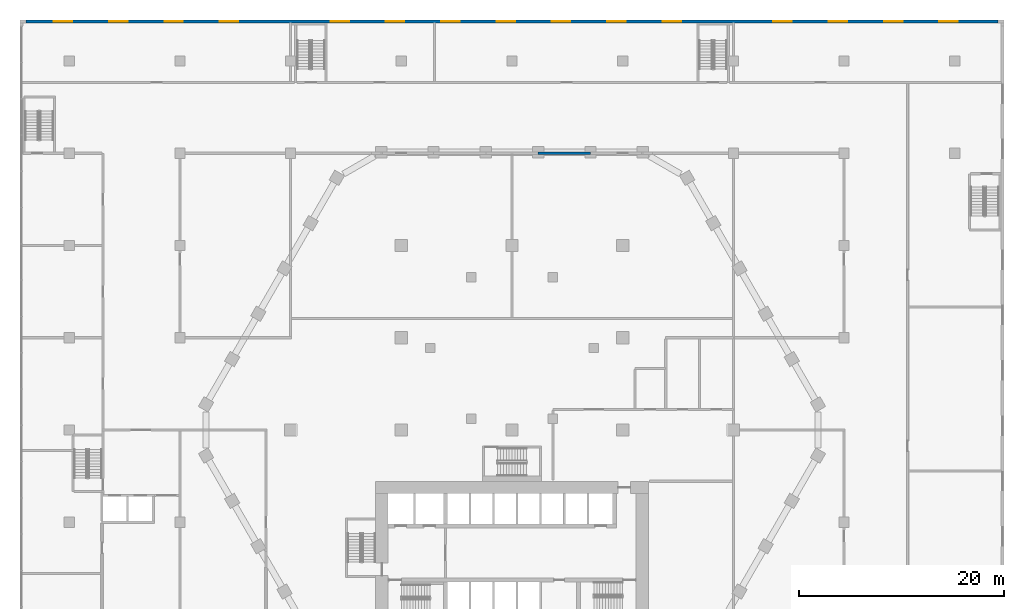
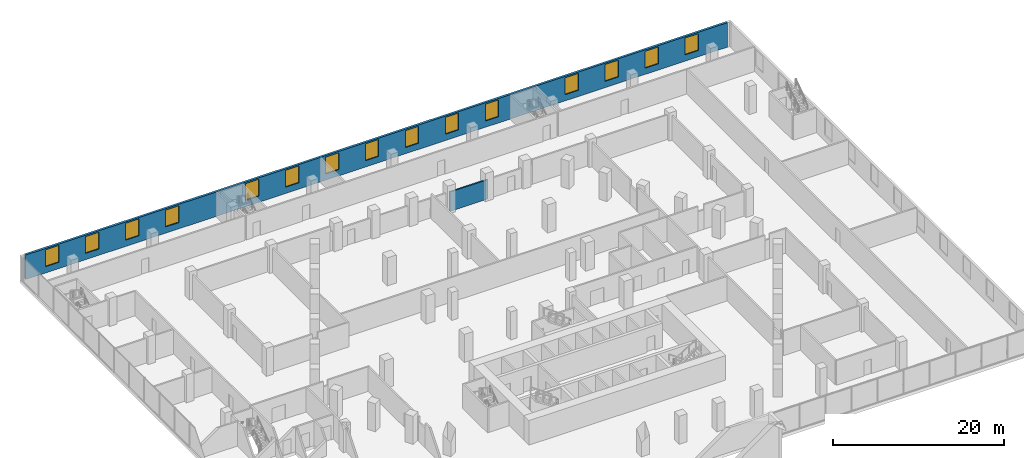
# One storey, part 20 of 45: 15 windows, 2 walls, 15 openings.
"""IFC4 building model written with IfcOpenShell, lengths in metres."""

import ifcopenshell
import ifcopenshell.guid

model = None  # the IFC model being written
_history = None  # IfcOwnerHistory: only IFC2X3 demands one
_inside = {}  # id of a spatial element -> (the spatial element, [elements in it])
_under = {}  # id of a project, library or spatial element -> (it, [spatial elements below it])
_declared = {}  # id of a project -> (the project, [libraries it declares])
_typed = {}  # id of a type object -> (the type object, [elements of that type])
_made_of = {}  # id of a material, layer set ... -> (it, [elements and type objects made of it])


def new_model(schema):
    """Start an empty IFC model of exactly this schema.

    Asked for "IFC4X3", IfcOpenShell would pick the latest addendum, in which some entities
    have other attributes; the version numbers below select the first issue.
    IFC2X3 requires an IfcOwnerHistory on every rooted entity: one is made here for all.
    """
    global model, _history
    if schema == "IFC4X3":
        model = ifcopenshell.file(schema_version=(4, 3, 0, 0))
    else:
        model = ifcopenshell.file(schema=schema)
    _inside.clear()
    _under.clear()
    _declared.clear()
    _typed.clear()
    _made_of.clear()
    _history = None
    if model.schema == "IFC2X3":
        org = make("IfcOrganization", Name="unknown")
        user = make(
            "IfcPersonAndOrganization",
            ThePerson=make("IfcPerson", FamilyName="unknown"),
            TheOrganization=org,
        )
        app = make(
            "IfcApplication",
            ApplicationDeveloper=org,
            Version="unknown",
            ApplicationFullName="unknown",
            ApplicationIdentifier="unknown",
        )
        _history = make(
            "IfcOwnerHistory",
            OwningUser=user,
            OwningApplication=app,
            ChangeAction="ADDED",
            CreationDate=0,
        )
    return model


def make(cls, **values):
    """One entity of the class cls with the attributes given. An attribute that is None is left unset."""
    return model.create_entity(
        cls, **{name: value for name, value in values.items() if value is not None}
    )


def rooted(cls, **values):
    """An entity with a GlobalId (a new one), such as an element, a storey or a relation."""
    return make(cls, GlobalId=ifcopenshell.guid.new(), OwnerHistory=_history, **values)


def si_unit(unit_type, name, prefix=None):
    """IfcSIUnit, for example si_unit("LENGTHUNIT", "METRE", prefix="MILLI")."""
    return make("IfcSIUnit", UnitType=unit_type, Prefix=prefix, Name=name)


def assignment(units):
    """IfcUnitAssignment: the units of a project."""
    return None if units is None else make("IfcUnitAssignment", Units=units)


def point(xyz):
    """IfcCartesianPoint."""
    return None if xyz is None else make("IfcCartesianPoint", Coordinates=xyz)


def direction(xyz):
    """IfcDirection."""
    return None if xyz is None else make("IfcDirection", DirectionRatios=xyz)


def frame(location, z_axis=None, x_axis=None):
    """IfcAxis2Placement3D, a coordinate frame: its origin and axes. An axis left out is left unset."""
    return make(
        "IfcAxis2Placement3D",
        Location=point(location),
        Axis=direction(z_axis),
        RefDirection=direction(x_axis),
    )


def frame_2d(location, x_axis=None):
    """IfcAxis2Placement2D, a coordinate frame in the plane: its origin and x axis."""
    return make(
        "IfcAxis2Placement2D", Location=point(location), RefDirection=direction(x_axis)
    )


def origin():
    """The frame at (0, 0, 0) with its axes left unset."""
    return frame((0.0, 0.0, 0.0))


def place(relative_to, where):
    """IfcLocalPlacement: puts the frame where relative to a parent placement (None: the world)."""
    return make(
        "IfcLocalPlacement", PlacementRelTo=relative_to, RelativePlacement=where
    )


def context(
    kind, dimensions, precision=None, world=None, true_north=None, identifier=None
):
    """IfcGeometricRepresentationContext, for example the 3D "Model" context."""
    return make(
        "IfcGeometricRepresentationContext",
        ContextIdentifier=identifier,
        ContextType=kind,
        CoordinateSpaceDimension=dimensions,
        Precision=precision,
        WorldCoordinateSystem=world,
        TrueNorth=true_north,
    )


def subcontext(parent, identifier, kind, view, scale=None):
    """IfcGeometricRepresentationSubContext, for example "Body" below "Model"."""
    return make(
        "IfcGeometricRepresentationSubContext",
        ContextIdentifier=identifier,
        ContextType=kind,
        ParentContext=parent,
        TargetScale=scale,
        TargetView=view,
    )


def project(units=None, contexts=None):
    """IfcProject with its units and contexts."""
    return rooted(
        "IfcProject",
        Name="project",
        RepresentationContexts=contexts,
        UnitsInContext=assignment(units),
    )


def spatial(cls, under=None, at=None, **own):
    """A site, building, storey or space (cls), placed at a placement, below another one or the project."""
    s = rooted(cls, ObjectPlacement=at, **own)
    if under is not None:
        _under.setdefault(under.id(), (under, []))[1].append(s)
    return s


def profile(cls, at=None, kind="AREA", **sizes):
    """A parametric profile (cls). Its sizes go by their IFC names, for example OverallWidth=200.0."""
    return make(cls, ProfileType=kind, Position=at, **sizes)


def rectangle(**sizes):
    """IfcRectangleProfileDef."""
    return profile("IfcRectangleProfileDef", **sizes)


def extrude(swept, where, along, depth):
    """IfcExtrudedAreaSolid: the profile swept, set in the frame where, extruded along a direction by depth."""
    return make(
        "IfcExtrudedAreaSolid",
        SweptArea=swept,
        Position=where,
        ExtrudedDirection=direction(along),
        Depth=depth,
    )


def shape(context_of_items, identifier, shape_type, items):
    """IfcShapeRepresentation: the items that make up one representation, for example the "Body"."""
    return make(
        "IfcShapeRepresentation",
        ContextOfItems=context_of_items,
        RepresentationIdentifier=identifier,
        RepresentationType=shape_type,
        Items=items,
    )


def material(Name=None, Category=None):
    """IfcMaterial."""
    return make("IfcMaterial", Name=Name, Category=Category)


def layer(
    of_material, thickness, ventilated=None, Name=None, Category=None, Priority=None
):
    """IfcMaterialLayer: one layer of a wall or slab, of a material (None: an air gap)."""
    return make(
        "IfcMaterialLayer",
        Material=of_material,
        LayerThickness=thickness,
        IsVentilated=ventilated,
        Name=Name,
        Category=Category,
        Priority=Priority,
    )


def layer_set(layers, Name=None):
    """IfcMaterialLayerSet."""
    return make("IfcMaterialLayerSet", MaterialLayers=layers, LayerSetName=Name)


def made_of(thing, what):
    """Note that an element or type object is made of a material, layer set ...; save() writes the relation."""
    if what is not None:
        _made_of.setdefault(what.id(), (what, []))[1].append(thing)
    return thing


def type_object(cls, material=None, **own):
    """A type object (cls), such as IfcWallType, which elements share."""
    return made_of(rooted(cls, **own), material)


def element(
    cls,
    number,
    at=None,
    inside=None,
    cuts=None,
    type_object=None,
    material=None,
    context=None,
    identifier="Body",
    shape_type=None,
    held_by="IfcProductDefinitionShape",
    body=None,
    shapes=None,
    **own,
):
    """One element of the class cls, such as IfcWall. Its Tag is "e" and its number.

    at: its placement. inside: the storey or other place that contains it. cuts: it is an
    opening in that element (IfcRelVoidsElement). A single representation is given by context,
    identifier, shape_type and body (its items); several are given by shapes. held_by: the class
    of the entity that holds the representations. save() writes the other relations.
    """
    e = rooted(cls, Tag="e%d" % number, ObjectPlacement=at, **own)
    if body is not None:
        shapes = [shape(context, identifier, shape_type, body)]
    if shapes is not None:
        e.Representation = make(held_by, Representations=shapes)
    if inside is not None:
        _inside.setdefault(inside.id(), (inside, []))[1].append(e)
    if cuts is not None:
        rooted(
            "IfcRelVoidsElement", RelatingBuildingElement=cuts, RelatedOpeningElement=e
        )
    if type_object is not None:
        _typed.setdefault(type_object.id(), (type_object, []))[1].append(e)
    return made_of(e, material)


def fill(opening, filler):
    """IfcRelFillsElement: the door or window that sits in an opening."""
    return rooted(
        "IfcRelFillsElement",
        RelatingOpeningElement=opening,
        RelatedBuildingElement=filler,
    )


def aggregate(whole, parts):
    """IfcRelAggregates: a whole, such as a stair, and the parts it consists of."""
    return rooted("IfcRelAggregates", RelatingObject=whole, RelatedObjects=parts)


def save(model, path):
    """Write the relations noted so far, then the file.

    IfcRelAggregates (storeys below a building ...), IfcRelContainedInSpatialStructure (elements
    in a storey), IfcRelDefinesByType, IfcRelAssociatesMaterial and IfcRelDeclares: one each for
    every whole, place, type object, material and project.
    """
    for whole, parts in _under.values():
        aggregate(whole, parts)
    for where, things in _inside.values():
        rooted(
            "IfcRelContainedInSpatialStructure",
            RelatedElements=things,
            RelatingStructure=where,
        )
    for kind, things in _typed.values():
        rooted("IfcRelDefinesByType", RelatedObjects=things, RelatingType=kind)
    for what, things in _made_of.values():
        rooted("IfcRelAssociatesMaterial", RelatedObjects=things, RelatingMaterial=what)
    for by, libraries in _declared.values():
        rooted("IfcRelDeclares", RelatingContext=by, RelatedDefinitions=libraries)
    model.write(path)


model = new_model("IFC4")

# Units and contexts
model_context = context("Model", 3, precision=1e-05, world=origin(), true_north=direction((0.0, 1.0)))
body_context = subcontext(model_context, "Body", "Model", "MODEL_VIEW")
ifc_project = project(units=[si_unit("LENGTHUNIT", "METRE"), si_unit("AREAUNIT", "SQUARE_METRE"), si_unit("VOLUMEUNIT", "CUBIC_METRE"), si_unit("PLANEANGLEUNIT", "RADIAN"), si_unit("MASSUNIT", "GRAM", prefix="KILO")], contexts=[model_context])

# Site, building, storey
site_placement = place(None, origin())
site = spatial("IfcSite", under=ifc_project, at=site_placement, CompositionType="ELEMENT")
building_placement = place(site_placement, origin())
building = spatial("IfcBuilding", under=site, at=building_placement, Name="Beryl Residences", CompositionType="ELEMENT")
storey_placement = place(building_placement, frame((0.0, 0.0, 5.0)))
storey = spatial("IfcBuildingStorey", under=building, at=storey_placement, Name="L01", CompositionType="ELEMENT", Elevation=5.0)

# Wall, openings, windows
ifc_material_1 = material(Name="Composite metal panel with mineral wool insulation")
ifc_layer_1 = layer(ifc_material_1, 0.300048828125)
ifc_layer_set_1 = layer_set([ifc_layer_1], Name="ES1 pale metal composite panel wall 300 mm")
wall_type_1 = type_object("IfcWallType", Name="ES1 pale metal composite panel wall 300 mm", PredefinedType="SOLIDWALL", material=ifc_layer_set_1)
wall_1_placement = place(storey_placement, frame((47.39990234375, 39.85009765625, 0.0), z_axis=(0.0, 0.0, 1.0), x_axis=(-1.0, 0.0, 0.0)))
wall_1 = element("IfcWall", 1, at=wall_1_placement, inside=storey, type_object=wall_type_1, Name="ES1 external wall L01 N 2", PredefinedType="SOLIDWALL", context=body_context, shape_type="SweptSolid", body=[
    extrude(rectangle(XDim=94.7998046875, YDim=0.300048828125, at=frame_2d((47.39990234375, 0.0))), origin(), (0.0, 0.0, 1.0), 3.5),
])
opening_1_placement = place(wall_1_placement, frame((3.89990234375, 0.0, 0.89990234375)))
opening_1 = element("IfcOpeningElement", 2, at=opening_1_placement, cuts=wall_1, Name="Opening W4", PredefinedType="OPENING", context=body_context, shape_type="SweptSolid", body=[
    extrude(rectangle(XDim=1.800048828125, YDim=2.39990234375, at=frame_2d((0.89990234375, 1.199951171875))), frame((0.0, 0.159912109375, 0.0), z_axis=(0.0, -1.0, 0.0), x_axis=(1.0, 0.0, 0.0)), (0.0, 0.0, 1.0), 0.320068359375),
])
opening_2_placement = place(wall_1_placement, frame((9.300048828125, 0.0, 0.89990234375)))
opening_2 = element("IfcOpeningElement", 3, at=opening_2_placement, cuts=wall_1, Name="Opening W4", PredefinedType="OPENING", context=body_context, shape_type="SweptSolid", body=[
    extrude(rectangle(XDim=1.800048828125, YDim=2.39990234375, at=frame_2d((0.89990234375, 1.199951171875))), frame((0.0, 0.159912109375, 0.0), z_axis=(0.0, -1.0, 0.0), x_axis=(1.0, 0.0, 0.0)), (0.0, 0.0, 1.0), 0.320068359375),
])
opening_3_placement = place(wall_1_placement, frame((14.699951171875, 0.0, 0.89990234375)))
opening_3 = element("IfcOpeningElement", 4, at=opening_3_placement, cuts=wall_1, Name="Opening W4", PredefinedType="OPENING", context=body_context, shape_type="SweptSolid", body=[
    extrude(rectangle(XDim=1.800048828125, YDim=2.39990234375, at=frame_2d((0.89990234375, 1.199951171875))), frame((0.0, 0.159912109375, 0.0), z_axis=(0.0, -1.0, 0.0), x_axis=(1.0, 0.0, 0.0)), (0.0, 0.0, 1.0), 0.320068359375),
])
opening_4_placement = place(wall_1_placement, frame((20.10009765625, 0.0, 0.89990234375)))
opening_4 = element("IfcOpeningElement", 5, at=opening_4_placement, cuts=wall_1, Name="Opening W4", PredefinedType="OPENING", context=body_context, shape_type="SweptSolid", body=[
    extrude(rectangle(XDim=1.800048828125, YDim=2.39990234375, at=frame_2d((0.89990234375, 1.199951171875))), frame((0.0, 0.159912109375, 0.0), z_axis=(0.0, -1.0, 0.0), x_axis=(1.0, 0.0, 0.0)), (0.0, 0.0, 1.0), 0.320068359375),
])
opening_5_placement = place(wall_1_placement, frame((30.89990234375, 0.0, 0.89990234375)))
opening_5 = element("IfcOpeningElement", 6, at=opening_5_placement, cuts=wall_1, Name="Opening W4", PredefinedType="OPENING", context=body_context, shape_type="SweptSolid", body=[
    extrude(rectangle(XDim=1.800048828125, YDim=2.39990234375, at=frame_2d((0.89990234375, 1.199951171875))), frame((0.0, 0.159912109375, 0.0), z_axis=(0.0, -1.0, 0.0), x_axis=(1.0, 0.0, 0.0)), (0.0, 0.0, 1.0), 0.320068359375),
])
opening_6_placement = place(wall_1_placement, frame((36.300048828125, 0.0, 0.89990234375)))
opening_6 = element("IfcOpeningElement", 7, at=opening_6_placement, cuts=wall_1, Name="Opening W4", PredefinedType="OPENING", context=body_context, shape_type="SweptSolid", body=[
    extrude(rectangle(XDim=1.800048828125, YDim=2.39990234375, at=frame_2d((0.89990234375, 1.199951171875))), frame((0.0, 0.159912109375, 0.0), z_axis=(0.0, -1.0, 0.0), x_axis=(1.0, 0.0, 0.0)), (0.0, 0.0, 1.0), 0.320068359375),
])
opening_7_placement = place(wall_1_placement, frame((41.699951171875, 0.0, 0.89990234375)))
opening_7 = element("IfcOpeningElement", 8, at=opening_7_placement, cuts=wall_1, Name="Opening W4", PredefinedType="OPENING", context=body_context, shape_type="SweptSolid", body=[
    extrude(rectangle(XDim=1.800048828125, YDim=2.39990234375, at=frame_2d((0.89990234375, 1.199951171875))), frame((0.0, 0.159912109375, 0.0), z_axis=(0.0, -1.0, 0.0), x_axis=(1.0, 0.0, 0.0)), (0.0, 0.0, 1.0), 0.320068359375),
])
opening_8_placement = place(wall_1_placement, frame((47.10009765625, 0.0, 0.89990234375)))
opening_8 = element("IfcOpeningElement", 9, at=opening_8_placement, cuts=wall_1, Name="Opening W4", PredefinedType="OPENING", context=body_context, shape_type="SweptSolid", body=[
    extrude(rectangle(XDim=1.800048828125, YDim=2.39990234375, at=frame_2d((0.89990234375, 1.199951171875))), frame((0.0, 0.159912109375, 0.0), z_axis=(0.0, -1.0, 0.0), x_axis=(1.0, 0.0, 0.0)), (0.0, 0.0, 1.0), 0.320068359375),
])
opening_9_placement = place(wall_1_placement, frame((52.5, 0.0, 0.89990234375)))
opening_9 = element("IfcOpeningElement", 10, at=opening_9_placement, cuts=wall_1, Name="Opening W4", PredefinedType="OPENING", context=body_context, shape_type="SweptSolid", body=[
    extrude(rectangle(XDim=1.800048828125, YDim=2.39990234375, at=frame_2d((0.89990234375, 1.199951171875))), frame((0.0, 0.159912109375, 0.0), z_axis=(0.0, -1.0, 0.0), x_axis=(1.0, 0.0, 0.0)), (0.0, 0.0, 1.0), 0.320068359375),
])
opening_10_placement = place(wall_1_placement, frame((57.89990234375, 0.0, 0.89990234375)))
opening_10 = element("IfcOpeningElement", 11, at=opening_10_placement, cuts=wall_1, Name="Opening W4", PredefinedType="OPENING", context=body_context, shape_type="SweptSolid", body=[
    extrude(rectangle(XDim=1.800048828125, YDim=2.39990234375, at=frame_2d((0.89990234375, 1.199951171875))), frame((0.0, 0.159912109375, 0.0), z_axis=(0.0, -1.0, 0.0), x_axis=(1.0, 0.0, 0.0)), (0.0, 0.0, 1.0), 0.320068359375),
])
opening_11_placement = place(wall_1_placement, frame((63.300048828125, 0.0, 0.89990234375)))
opening_11 = element("IfcOpeningElement", 12, at=opening_11_placement, cuts=wall_1, Name="Opening W4", PredefinedType="OPENING", context=body_context, shape_type="SweptSolid", body=[
    extrude(rectangle(XDim=1.800048828125, YDim=2.39990234375, at=frame_2d((0.89990234375, 1.199951171875))), frame((0.0, 0.159912109375, 0.0), z_axis=(0.0, -1.0, 0.0), x_axis=(1.0, 0.0, 0.0)), (0.0, 0.0, 1.0), 0.320068359375),
])
opening_12_placement = place(wall_1_placement, frame((74.10009765625, 0.0, 0.89990234375)))
opening_12 = element("IfcOpeningElement", 13, at=opening_12_placement, cuts=wall_1, Name="Opening W4", PredefinedType="OPENING", context=body_context, shape_type="SweptSolid", body=[
    extrude(rectangle(XDim=1.800048828125, YDim=2.39990234375, at=frame_2d((0.89990234375, 1.199951171875))), frame((0.0, 0.159912109375, 0.0), z_axis=(0.0, -1.0, 0.0), x_axis=(1.0, 0.0, 0.0)), (0.0, 0.0, 1.0), 0.320068359375),
])
opening_13_placement = place(wall_1_placement, frame((79.5, 0.0, 0.89990234375)))
opening_13 = element("IfcOpeningElement", 14, at=opening_13_placement, cuts=wall_1, Name="Opening W4", PredefinedType="OPENING", context=body_context, shape_type="SweptSolid", body=[
    extrude(rectangle(XDim=1.800048828125, YDim=2.39990234375, at=frame_2d((0.89990234375, 1.199951171875))), frame((0.0, 0.159912109375, 0.0), z_axis=(0.0, -1.0, 0.0), x_axis=(1.0, 0.0, 0.0)), (0.0, 0.0, 1.0), 0.320068359375),
])
opening_14_placement = place(wall_1_placement, frame((84.89990234375, 0.0, 0.89990234375)))
opening_14 = element("IfcOpeningElement", 15, at=opening_14_placement, cuts=wall_1, Name="Opening W4", PredefinedType="OPENING", context=body_context, shape_type="SweptSolid", body=[
    extrude(rectangle(XDim=1.800048828125, YDim=2.39990234375, at=frame_2d((0.89990234375, 1.199951171875))), frame((0.0, 0.159912109375, 0.0), z_axis=(0.0, -1.0, 0.0), x_axis=(1.0, 0.0, 0.0)), (0.0, 0.0, 1.0), 0.320068359375),
])
opening_15_placement = place(wall_1_placement, frame((90.300048828125, 0.0, 0.89990234375)))
opening_15 = element("IfcOpeningElement", 16, at=opening_15_placement, cuts=wall_1, Name="Opening W4", PredefinedType="OPENING", context=body_context, shape_type="SweptSolid", body=[
    extrude(rectangle(XDim=1.800048828125, YDim=2.39990234375, at=frame_2d((0.89990234375, 1.199951171875))), frame((0.0, 0.159912109375, 0.0), z_axis=(0.0, -1.0, 0.0), x_axis=(1.0, 0.0, 0.0)), (0.0, 0.0, 1.0), 0.320068359375),
])
ifc_material_2 = material(Name="Aluminium and clear glass", Category="aluminium")
window_type = type_object("IfcWindowType", Name="W4 podium window 1800 x 2400 mm", PartitioningType="SINGLE_PANEL", PredefinedType="WINDOW", material=ifc_material_2)
window_1_placement = place(opening_1_placement, origin())
window_1 = element("IfcWindow", 17, at=window_1_placement, inside=storey, type_object=window_type, Name="W4 window L01 N 1", OverallHeight=2.39990234375, OverallWidth=1.800048828125, PartitioningType="SINGLE_PANEL", PredefinedType="WINDOW", context=body_context, shape_type="SweptSolid", body=[
    extrude(rectangle(XDim=1.800048828125, YDim=2.39990234375, at=frame_2d((0.89990234375, 1.199951171875))), frame((0.0, 0.030029296875, 0.0), z_axis=(0.0, -1.0, 0.0), x_axis=(1.0, 0.0, 0.0)), (0.0, 0.0, 1.0), 0.06005859375),
])
fill(opening_1, window_1)
window_2_placement = place(opening_2_placement, origin())
window_2 = element("IfcWindow", 18, at=window_2_placement, inside=storey, type_object=window_type, Name="W4 window L01 N 2", OverallHeight=2.39990234375, OverallWidth=1.800048828125, PartitioningType="SINGLE_PANEL", PredefinedType="WINDOW", context=body_context, shape_type="SweptSolid", body=[
    extrude(rectangle(XDim=1.800048828125, YDim=2.39990234375, at=frame_2d((0.89990234375, 1.199951171875))), frame((0.0, 0.030029296875, 0.0), z_axis=(0.0, -1.0, 0.0), x_axis=(1.0, 0.0, 0.0)), (0.0, 0.0, 1.0), 0.06005859375),
])
fill(opening_2, window_2)
window_3_placement = place(opening_3_placement, origin())
window_3 = element("IfcWindow", 19, at=window_3_placement, inside=storey, type_object=window_type, Name="W4 window L01 N 3", OverallHeight=2.39990234375, OverallWidth=1.800048828125, PartitioningType="SINGLE_PANEL", PredefinedType="WINDOW", context=body_context, shape_type="SweptSolid", body=[
    extrude(rectangle(XDim=1.800048828125, YDim=2.39990234375, at=frame_2d((0.89990234375, 1.199951171875))), frame((0.0, 0.030029296875, 0.0), z_axis=(0.0, -1.0, 0.0), x_axis=(1.0, 0.0, 0.0)), (0.0, 0.0, 1.0), 0.06005859375),
])
fill(opening_3, window_3)
window_4_placement = place(opening_4_placement, origin())
window_4 = element("IfcWindow", 20, at=window_4_placement, inside=storey, type_object=window_type, Name="W4 window L01 N 4", OverallHeight=2.39990234375, OverallWidth=1.800048828125, PartitioningType="SINGLE_PANEL", PredefinedType="WINDOW", context=body_context, shape_type="SweptSolid", body=[
    extrude(rectangle(XDim=1.800048828125, YDim=2.39990234375, at=frame_2d((0.89990234375, 1.199951171875))), frame((0.0, 0.030029296875, 0.0), z_axis=(0.0, -1.0, 0.0), x_axis=(1.0, 0.0, 0.0)), (0.0, 0.0, 1.0), 0.06005859375),
])
fill(opening_4, window_4)
window_5_placement = place(opening_5_placement, origin())
window_5 = element("IfcWindow", 21, at=window_5_placement, inside=storey, type_object=window_type, Name="W4 window L01 N 5", OverallHeight=2.39990234375, OverallWidth=1.800048828125, PartitioningType="SINGLE_PANEL", PredefinedType="WINDOW", context=body_context, shape_type="SweptSolid", body=[
    extrude(rectangle(XDim=1.800048828125, YDim=2.39990234375, at=frame_2d((0.89990234375, 1.199951171875))), frame((0.0, 0.030029296875, 0.0), z_axis=(0.0, -1.0, 0.0), x_axis=(1.0, 0.0, 0.0)), (0.0, 0.0, 1.0), 0.06005859375),
])
fill(opening_5, window_5)
window_6_placement = place(opening_6_placement, origin())
window_6 = element("IfcWindow", 22, at=window_6_placement, inside=storey, type_object=window_type, Name="W4 window L01 N 6", OverallHeight=2.39990234375, OverallWidth=1.800048828125, PartitioningType="SINGLE_PANEL", PredefinedType="WINDOW", context=body_context, shape_type="SweptSolid", body=[
    extrude(rectangle(XDim=1.800048828125, YDim=2.39990234375, at=frame_2d((0.89990234375, 1.199951171875))), frame((0.0, 0.030029296875, 0.0), z_axis=(0.0, -1.0, 0.0), x_axis=(1.0, 0.0, 0.0)), (0.0, 0.0, 1.0), 0.06005859375),
])
fill(opening_6, window_6)
window_7_placement = place(opening_7_placement, origin())
window_7 = element("IfcWindow", 23, at=window_7_placement, inside=storey, type_object=window_type, Name="W4 window L01 N 7", OverallHeight=2.39990234375, OverallWidth=1.800048828125, PartitioningType="SINGLE_PANEL", PredefinedType="WINDOW", context=body_context, shape_type="SweptSolid", body=[
    extrude(rectangle(XDim=1.800048828125, YDim=2.39990234375, at=frame_2d((0.89990234375, 1.199951171875))), frame((0.0, 0.030029296875, 0.0), z_axis=(0.0, -1.0, 0.0), x_axis=(1.0, 0.0, 0.0)), (0.0, 0.0, 1.0), 0.06005859375),
])
fill(opening_7, window_7)
window_8_placement = place(opening_8_placement, origin())
window_8 = element("IfcWindow", 24, at=window_8_placement, inside=storey, type_object=window_type, Name="W4 window L01 N 8", OverallHeight=2.39990234375, OverallWidth=1.800048828125, PartitioningType="SINGLE_PANEL", PredefinedType="WINDOW", context=body_context, shape_type="SweptSolid", body=[
    extrude(rectangle(XDim=1.800048828125, YDim=2.39990234375, at=frame_2d((0.89990234375, 1.199951171875))), frame((0.0, 0.030029296875, 0.0), z_axis=(0.0, -1.0, 0.0), x_axis=(1.0, 0.0, 0.0)), (0.0, 0.0, 1.0), 0.06005859375),
])
fill(opening_8, window_8)
window_9_placement = place(opening_9_placement, origin())
window_9 = element("IfcWindow", 25, at=window_9_placement, inside=storey, type_object=window_type, Name="W4 window L01 N 9", OverallHeight=2.39990234375, OverallWidth=1.800048828125, PartitioningType="SINGLE_PANEL", PredefinedType="WINDOW", context=body_context, shape_type="SweptSolid", body=[
    extrude(rectangle(XDim=1.800048828125, YDim=2.39990234375, at=frame_2d((0.89990234375, 1.199951171875))), frame((0.0, 0.030029296875, 0.0), z_axis=(0.0, -1.0, 0.0), x_axis=(1.0, 0.0, 0.0)), (0.0, 0.0, 1.0), 0.06005859375),
])
fill(opening_9, window_9)
window_10_placement = place(opening_10_placement, origin())
window_10 = element("IfcWindow", 26, at=window_10_placement, inside=storey, type_object=window_type, Name="W4 window L01 N 10", OverallHeight=2.39990234375, OverallWidth=1.800048828125, PartitioningType="SINGLE_PANEL", PredefinedType="WINDOW", context=body_context, shape_type="SweptSolid", body=[
    extrude(rectangle(XDim=1.800048828125, YDim=2.39990234375, at=frame_2d((0.89990234375, 1.199951171875))), frame((0.0, 0.030029296875, 0.0), z_axis=(0.0, -1.0, 0.0), x_axis=(1.0, 0.0, 0.0)), (0.0, 0.0, 1.0), 0.06005859375),
])
fill(opening_10, window_10)
window_11_placement = place(opening_11_placement, origin())
window_11 = element("IfcWindow", 27, at=window_11_placement, inside=storey, type_object=window_type, Name="W4 window L01 N 11", OverallHeight=2.39990234375, OverallWidth=1.800048828125, PartitioningType="SINGLE_PANEL", PredefinedType="WINDOW", context=body_context, shape_type="SweptSolid", body=[
    extrude(rectangle(XDim=1.800048828125, YDim=2.39990234375, at=frame_2d((0.89990234375, 1.199951171875))), frame((0.0, 0.030029296875, 0.0), z_axis=(0.0, -1.0, 0.0), x_axis=(1.0, 0.0, 0.0)), (0.0, 0.0, 1.0), 0.06005859375),
])
fill(opening_11, window_11)
window_12_placement = place(opening_12_placement, origin())
window_12 = element("IfcWindow", 28, at=window_12_placement, inside=storey, type_object=window_type, Name="W4 window L01 N 12", OverallHeight=2.39990234375, OverallWidth=1.800048828125, PartitioningType="SINGLE_PANEL", PredefinedType="WINDOW", context=body_context, shape_type="SweptSolid", body=[
    extrude(rectangle(XDim=1.800048828125, YDim=2.39990234375, at=frame_2d((0.89990234375, 1.199951171875))), frame((0.0, 0.030029296875, 0.0), z_axis=(0.0, -1.0, 0.0), x_axis=(1.0, 0.0, 0.0)), (0.0, 0.0, 1.0), 0.06005859375),
])
fill(opening_12, window_12)
window_13_placement = place(opening_13_placement, origin())
window_13 = element("IfcWindow", 29, at=window_13_placement, inside=storey, type_object=window_type, Name="W4 window L01 N 13", OverallHeight=2.39990234375, OverallWidth=1.800048828125, PartitioningType="SINGLE_PANEL", PredefinedType="WINDOW", context=body_context, shape_type="SweptSolid", body=[
    extrude(rectangle(XDim=1.800048828125, YDim=2.39990234375, at=frame_2d((0.89990234375, 1.199951171875))), frame((0.0, 0.030029296875, 0.0), z_axis=(0.0, -1.0, 0.0), x_axis=(1.0, 0.0, 0.0)), (0.0, 0.0, 1.0), 0.06005859375),
])
fill(opening_13, window_13)
window_14_placement = place(opening_14_placement, origin())
window_14 = element("IfcWindow", 30, at=window_14_placement, inside=storey, type_object=window_type, Name="W4 window L01 N 14", OverallHeight=2.39990234375, OverallWidth=1.800048828125, PartitioningType="SINGLE_PANEL", PredefinedType="WINDOW", context=body_context, shape_type="SweptSolid", body=[
    extrude(rectangle(XDim=1.800048828125, YDim=2.39990234375, at=frame_2d((0.89990234375, 1.199951171875))), frame((0.0, 0.030029296875, 0.0), z_axis=(0.0, -1.0, 0.0), x_axis=(1.0, 0.0, 0.0)), (0.0, 0.0, 1.0), 0.06005859375),
])
fill(opening_14, window_14)
window_15_placement = place(opening_15_placement, origin())
window_15 = element("IfcWindow", 31, at=window_15_placement, inside=storey, type_object=window_type, Name="W4 window L01 N 15", OverallHeight=2.39990234375, OverallWidth=1.800048828125, PartitioningType="SINGLE_PANEL", PredefinedType="WINDOW", context=body_context, shape_type="SweptSolid", body=[
    extrude(rectangle(XDim=1.800048828125, YDim=2.39990234375, at=frame_2d((0.89990234375, 1.199951171875))), frame((0.0, 0.030029296875, 0.0), z_axis=(0.0, -1.0, 0.0), x_axis=(1.0, 0.0, 0.0)), (0.0, 0.0, 1.0), 0.06005859375),
])
fill(opening_15, window_15)

# Wall
ifc_material_3 = material(Name="Double stud gypsum board wall")
ifc_layer_2 = layer(ifc_material_3, 0.199951171875)
ifc_layer_set_2 = layer_set([ifc_layer_2], Name="PT10 tenancy wall 200 mm")
wall_type_2 = type_object("IfcWallType", Name="PT10 tenancy wall 200 mm", PredefinedType="PARTITIONING", material=ifc_layer_set_2)
wall_2_placement = place(storey_placement, frame((2.551025390625, 27.0, 0.0), z_axis=(0.0, 0.0, 1.0), x_axis=(1.0, 0.0, 0.0)))
element("IfcWall", 32, at=wall_2_placement, inside=storey, type_object=wall_type_2, Name="Wall PT10 L01 024", PredefinedType="PARTITIONING", context=body_context, shape_type="SweptSolid", body=[
    extrude(rectangle(XDim=5.10400390625, YDim=0.199951171875, at=frame_2d((2.552001953125, 0.0))), origin(), (0.0, 0.0, 1.0), 2.77001953125),
])

save(model, "model.ifc")
